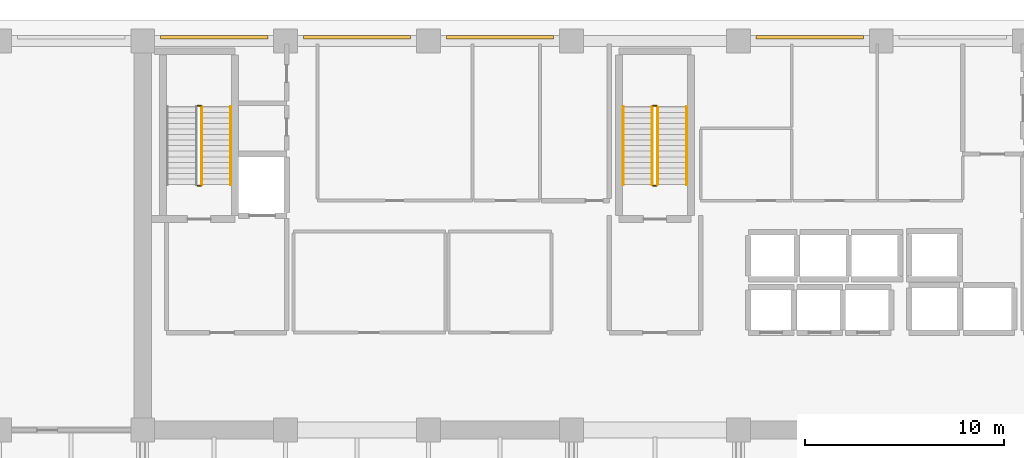
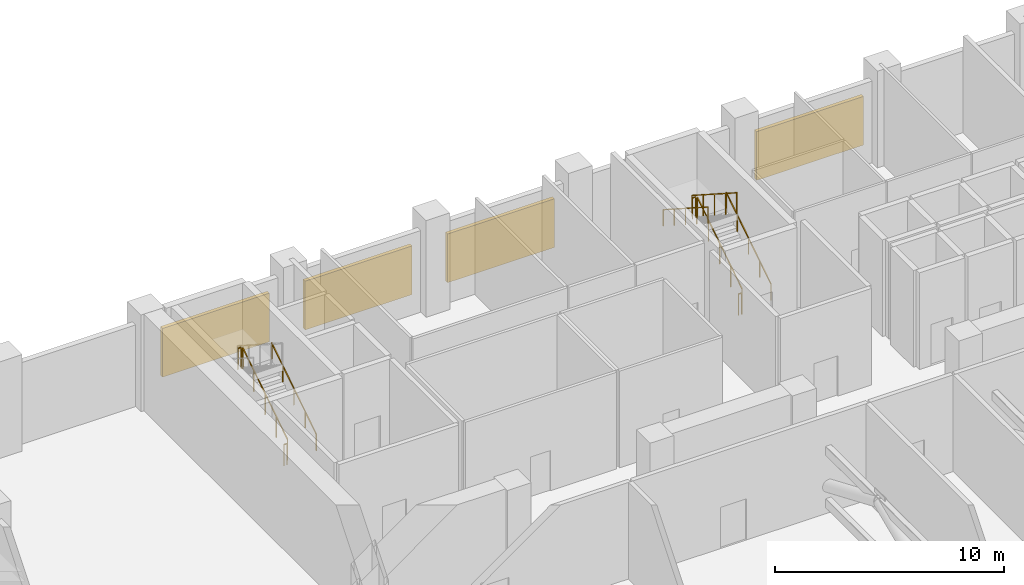
# One storey, part 12 of 13: 10 railings, 4 shading devices.
"""IFC4 building model written with IfcOpenShell, lengths in metres."""

from ifc_helpers import new_model, si_unit, direction, frame, origin, origin_2d, place, context, subcontext, project, spatial, rectangle, extrude, material, type_object, element, save


model = new_model("IFC4")

# Units and contexts
model_context = context("Model", 3, precision=1e-05, world=origin(), true_north=direction((0.0, 1.0)))
body_context = subcontext(model_context, "Body", "Model", "MODEL_VIEW")
ifc_project = project(units=[si_unit("LENGTHUNIT", "METRE"), si_unit("AREAUNIT", "SQUARE_METRE"), si_unit("VOLUMEUNIT", "CUBIC_METRE"), si_unit("PLANEANGLEUNIT", "RADIAN"), si_unit("MASSUNIT", "GRAM", prefix="KILO")], contexts=[model_context])

# Site, building, storey
site_placement = place(None, origin())
site = spatial("IfcSite", under=ifc_project, at=site_placement, CompositionType="ELEMENT")
building_placement = place(site_placement, origin())
building = spatial("IfcBuilding", under=site, at=building_placement, Name="Kaelvorn Grand Hotel", CompositionType="ELEMENT")
storey_placement = place(building_placement, frame((0.0, 0.0, 184.75)))
storey = spatial("IfcBuildingStorey", under=building, at=storey_placement, Name="L45", CompositionType="ELEMENT", Elevation=184.75)

# Railings
ifc_material_1 = material(Name="Stainless Steel", Category="steel")
railing_type_1 = type_object("IfcRailingType", Name="RL-HANDRAIL-900", PredefinedType="HANDRAIL", material=ifc_material_1)
for number, where, name in (
    (1, (20.6298828125, 41.760009765625, 0.179931640625), "L45 ST1 stair handrail 1"),
    (2, (43.590087890625, 41.760009765625, 0.179931640625), "L45 ST2 stair handrail 1"),
):
    element("IfcRailing", number, at=place(storey_placement, frame(where)), inside=storey, type_object=railing_type_1, Name=name, PredefinedType="HANDRAIL", context=body_context, shape_type="SweptSolid", body=[
        extrude(rectangle(XDim=0.048095703125, YDim=0.048095703125, at=origin_2d()), frame((0.0, 0.0, 0.8759765625), z_axis=(0.0, 0.841171666519, 0.540768182723), x_axis=(-1.0, 0.0, 0.0)), (0.0, 0.0, 1.0), 4.66015625),
        extrude(rectangle(XDim=0.0419921875, YDim=0.0419921875, at=origin_2d()), origin(), (0.0, 0.0, 1.0), 0.851806640625),
        extrude(rectangle(XDim=0.0419921875, YDim=0.0419921875, at=origin_2d()), frame((0.0, 0.97998046875, 0.6298828125)), (0.0, 0.0, 1.0), 0.851806640625),
        extrude(rectangle(XDim=0.0419921875, YDim=0.0419921875, at=origin_2d()), frame((0.0, 1.9599609375, 1.260009765625)), (0.0, 0.0, 1.0), 0.851806640625),
        extrude(rectangle(XDim=0.0419921875, YDim=0.0419921875, at=origin_2d()), frame((0.0, 2.93994140625, 1.89013671875)), (0.0, 0.0, 1.0), 0.851806640625),
        extrude(rectangle(XDim=0.0419921875, YDim=0.0419921875, at=origin_2d()), frame((0.0, 3.919921875, 2.52001953125)), (0.0, 0.0, 1.0), 0.851806640625),
    ])
railing_1_placement = place(storey_placement, frame((40.409912109375, 45.679931640625, 2.8798828125)))
element("IfcRailing", 3, at=railing_1_placement, inside=storey, type_object=railing_type_1, Name="L45 ST2 stair handrail 2", PredefinedType="HANDRAIL", context=body_context, shape_type="SweptSolid", body=[
    extrude(rectangle(XDim=0.048095703125, YDim=0.048095703125, at=origin_2d()), frame((0.0, 0.0, 0.8759765625), z_axis=(0.0, -0.841171666519, 0.540768182723), x_axis=(1.0, 0.0, 0.0)), (0.0, 0.0, 1.0), 4.66015625),
    extrude(rectangle(XDim=0.0419921875, YDim=0.0419921875, at=origin_2d()), origin(), (0.0, 0.0, 1.0), 0.851806640625),
    extrude(rectangle(XDim=0.0419921875, YDim=0.0419921875, at=origin_2d()), frame((0.0, -0.97998046875, 0.6298828125)), (0.0, 0.0, 1.0), 0.851806640625),
    extrude(rectangle(XDim=0.0419921875, YDim=0.0419921875, at=origin_2d()), frame((0.0, -1.9599609375, 1.260009765625)), (0.0, 0.0, 1.0), 0.851806640625),
    extrude(rectangle(XDim=0.0419921875, YDim=0.0419921875, at=origin_2d()), frame((0.0, -2.93994140625, 1.89013671875)), (0.0, 0.0, 1.0), 0.851806640625),
    extrude(rectangle(XDim=0.0419921875, YDim=0.0419921875, at=origin_2d()), frame((0.0, -3.919921875, 2.52001953125)), (0.0, 0.0, 1.0), 0.851806640625),
])
railing_type_2 = type_object("IfcRailingType", Name="RL-STAIR-GUARD-1150", PredefinedType="BALUSTRADE", material=ifc_material_1)
railing_2_placement = place(storey_placement, frame((19.169921875, 41.760009765625, 0.179931640625)))
element("IfcRailing", 4, at=railing_2_placement, inside=storey, type_object=railing_type_2, Name="L45 ST1 stair guard 1", PredefinedType="BALUSTRADE", context=body_context, shape_type="SweptSolid", body=[
    extrude(rectangle(XDim=0.048095703125, YDim=0.048095703125, at=origin_2d()), frame((0.0, 0.0, 1.1259765625), z_axis=(0.0, 0.841171666519, 0.540768182723), x_axis=(-1.0, 0.0, 0.0)), (0.0, 0.0, 1.0), 4.66015625),
    extrude(rectangle(XDim=0.0419921875, YDim=0.0419921875, at=origin_2d()), origin(), (0.0, 0.0, 1.0), 1.101806640625),
    extrude(rectangle(XDim=0.0419921875, YDim=0.0419921875, at=origin_2d()), frame((0.0, 0.97998046875, 0.6298828125)), (0.0, 0.0, 1.0), 1.101806640625),
    extrude(rectangle(XDim=0.0419921875, YDim=0.0419921875, at=origin_2d()), frame((0.0, 1.9599609375, 1.260009765625)), (0.0, 0.0, 1.0), 1.101806640625),
    extrude(rectangle(XDim=0.0419921875, YDim=0.0419921875, at=origin_2d()), frame((0.0, 2.93994140625, 1.89013671875)), (0.0, 0.0, 1.0), 1.101806640625),
    extrude(rectangle(XDim=0.0419921875, YDim=0.0419921875, at=origin_2d()), frame((0.0, 3.919921875, 2.52001953125)), (0.0, 0.0, 1.0), 1.101806640625),
])
for number, where, name in (
    (5, (19.1201171875, 45.72998046875, 2.699951171875), "L45 ST1 stair guard 2"),
    (6, (19.1201171875, 41.7099609375, 0.0), "L45 ST1 stair guard 4"),
):
    element("IfcRailing", number, at=place(storey_placement, frame(where)), inside=storey, type_object=railing_type_2, Name=name, PredefinedType="BALUSTRADE", context=body_context, shape_type="SweptSolid", body=[
        extrude(rectangle(XDim=0.048095703125, YDim=0.048095703125, at=origin_2d()), frame((0.0, 0.0, 1.1259765625), z_axis=(-1.0, 0.0, 0.0), x_axis=(0.0, -1.0, 0.0)), (0.0, 0.0, 1.0), 0.16015625),
        extrude(rectangle(XDim=0.0419921875, YDim=0.0419921875, at=origin_2d()), origin(), (0.0, 0.0, 1.0), 1.101806640625),
        extrude(rectangle(XDim=0.0419921875, YDim=0.0419921875, at=origin_2d()), frame((-0.16015625, 0.0, 0.0)), (0.0, 0.0, 1.0), 1.101806640625),
    ])
railing_3_placement = place(storey_placement, frame((42.1298828125, 41.760009765625, 0.179931640625)))
element("IfcRailing", 7, at=railing_3_placement, inside=storey, type_object=railing_type_2, Name="L45 ST2 stair guard 1", PredefinedType="BALUSTRADE", context=body_context, shape_type="SweptSolid", body=[
    extrude(rectangle(XDim=0.048095703125, YDim=0.048095703125, at=origin_2d()), frame((0.0, 0.0, 1.1259765625), z_axis=(0.0, 0.841171666519, 0.540768182723), x_axis=(-1.0, 0.0, 0.0)), (0.0, 0.0, 1.0), 4.66015625),
    extrude(rectangle(XDim=0.0419921875, YDim=0.0419921875, at=origin_2d()), origin(), (0.0, 0.0, 1.0), 1.101806640625),
    extrude(rectangle(XDim=0.0419921875, YDim=0.0419921875, at=origin_2d()), frame((0.0, 0.97998046875, 0.6298828125)), (0.0, 0.0, 1.0), 1.101806640625),
    extrude(rectangle(XDim=0.0419921875, YDim=0.0419921875, at=origin_2d()), frame((0.0, 1.9599609375, 1.260009765625)), (0.0, 0.0, 1.0), 1.101806640625),
    extrude(rectangle(XDim=0.0419921875, YDim=0.0419921875, at=origin_2d()), frame((0.0, 2.93994140625, 1.89013671875)), (0.0, 0.0, 1.0), 1.101806640625),
    extrude(rectangle(XDim=0.0419921875, YDim=0.0419921875, at=origin_2d()), frame((0.0, 3.919921875, 2.52001953125)), (0.0, 0.0, 1.0), 1.101806640625),
])
railing_4_placement = place(storey_placement, frame((42.080078125, 45.72998046875, 2.699951171875)))
element("IfcRailing", 8, at=railing_4_placement, inside=storey, type_object=railing_type_2, Name="L45 ST2 stair guard 2", PredefinedType="BALUSTRADE", context=body_context, shape_type="SweptSolid", body=[
    extrude(rectangle(XDim=0.048095703125, YDim=0.048095703125, at=origin_2d()), frame((0.0, 0.0, 1.1259765625), z_axis=(-1.0, 0.0, 0.0), x_axis=(0.0, -1.0, 0.0)), (0.0, 0.0, 1.0), 0.16015625),
    extrude(rectangle(XDim=0.0419921875, YDim=0.0419921875, at=origin_2d()), origin(), (0.0, 0.0, 1.0), 1.101806640625),
    extrude(rectangle(XDim=0.0419921875, YDim=0.0419921875, at=origin_2d()), frame((-0.16015625, 0.0, 0.0)), (0.0, 0.0, 1.0), 1.101806640625),
])
railing_5_placement = place(storey_placement, frame((41.8701171875, 45.679931640625, 2.8798828125)))
element("IfcRailing", 9, at=railing_5_placement, inside=storey, type_object=railing_type_2, Name="L45 ST2 stair guard 3", PredefinedType="BALUSTRADE", context=body_context, shape_type="SweptSolid", body=[
    extrude(rectangle(XDim=0.048095703125, YDim=0.048095703125, at=origin_2d()), frame((0.0, 0.0, 1.1259765625), z_axis=(0.0, -0.841171666519, 0.540768182723), x_axis=(1.0, 0.0, 0.0)), (0.0, 0.0, 1.0), 4.66015625),
    extrude(rectangle(XDim=0.0419921875, YDim=0.0419921875, at=origin_2d()), origin(), (0.0, 0.0, 1.0), 1.101806640625),
    extrude(rectangle(XDim=0.0419921875, YDim=0.0419921875, at=origin_2d()), frame((0.0, -0.97998046875, 0.6298828125)), (0.0, 0.0, 1.0), 1.101806640625),
    extrude(rectangle(XDim=0.0419921875, YDim=0.0419921875, at=origin_2d()), frame((0.0, -1.9599609375, 1.260009765625)), (0.0, 0.0, 1.0), 1.101806640625),
    extrude(rectangle(XDim=0.0419921875, YDim=0.0419921875, at=origin_2d()), frame((0.0, -2.93994140625, 1.89013671875)), (0.0, 0.0, 1.0), 1.101806640625),
    extrude(rectangle(XDim=0.0419921875, YDim=0.0419921875, at=origin_2d()), frame((0.0, -3.919921875, 2.52001953125)), (0.0, 0.0, 1.0), 1.101806640625),
])
railing_6_placement = place(storey_placement, frame((42.080078125, 41.7099609375, 0.0)))
element("IfcRailing", 10, at=railing_6_placement, inside=storey, type_object=railing_type_2, Name="L45 ST2 stair guard 4", PredefinedType="BALUSTRADE", context=body_context, shape_type="SweptSolid", body=[
    extrude(rectangle(XDim=0.048095703125, YDim=0.048095703125, at=origin_2d()), frame((0.0, 0.0, 1.1259765625), z_axis=(-1.0, 0.0, 0.0), x_axis=(0.0, -1.0, 0.0)), (0.0, 0.0, 1.0), 0.16015625),
    extrude(rectangle(XDim=0.0419921875, YDim=0.0419921875, at=origin_2d()), origin(), (0.0, 0.0, 1.0), 1.101806640625),
    extrude(rectangle(XDim=0.0419921875, YDim=0.0419921875, at=origin_2d()), frame((-0.16015625, 0.0, 0.0)), (0.0, 0.0, 1.0), 1.101806640625),
])

# Shading devices
ifc_material_2 = material(Name="Anodised Aluminium", Category="aluminium")
shading_device_type = type_object("IfcShadingDeviceType", Name="SHD-LOUVRE-PLANT", PredefinedType="USERDEFINED", material=ifc_material_2)
for number, where, z_axis, x_axis, name in (
    (11, (19.800048828125, 49.18994140625, 0.89990234375), (0.0, 0.0, 1.0), (1.0, 0.0, 0.0), "L45 Mechanical Plant Aluminium Louvre Screen N2"),
    (12, (27.0, 49.18994140625, 0.89990234375), (0.0, 0.0, 1.0), (1.0, 0.0, 0.0), "L45 Mechanical Plant Aluminium Louvre Screen N3"),
    (13, (34.199951171875, 49.18994140625, 0.89990234375), (0.0, 0.0, 1.0), (1.0, 0.0, 0.0), "L45 Mechanical Plant Aluminium Louvre Screen N4"),
    (14, (49.800048828125, 49.18994140625, 0.89990234375), (0.0, 0.0, 1.0), (1.0, 0.0, 0.0), "L45 Mechanical Plant Aluminium Louvre Screen N5"),
):
    element("IfcShadingDevice", number, at=place(storey_placement, frame(where, z_axis=z_axis, x_axis=x_axis)), inside=storey, type_object=shading_device_type, Name=name, ObjectType="LOUVRE", PredefinedType="USERDEFINED", context=body_context, shape_type="SweptSolid", body=[
        extrude(rectangle(XDim=5.39990234375, YDim=0.179931640625, at=origin_2d()), origin(), (0.0, 0.0, 1.0), 2.60009765625),
    ])

save(model, "model.ifc")
